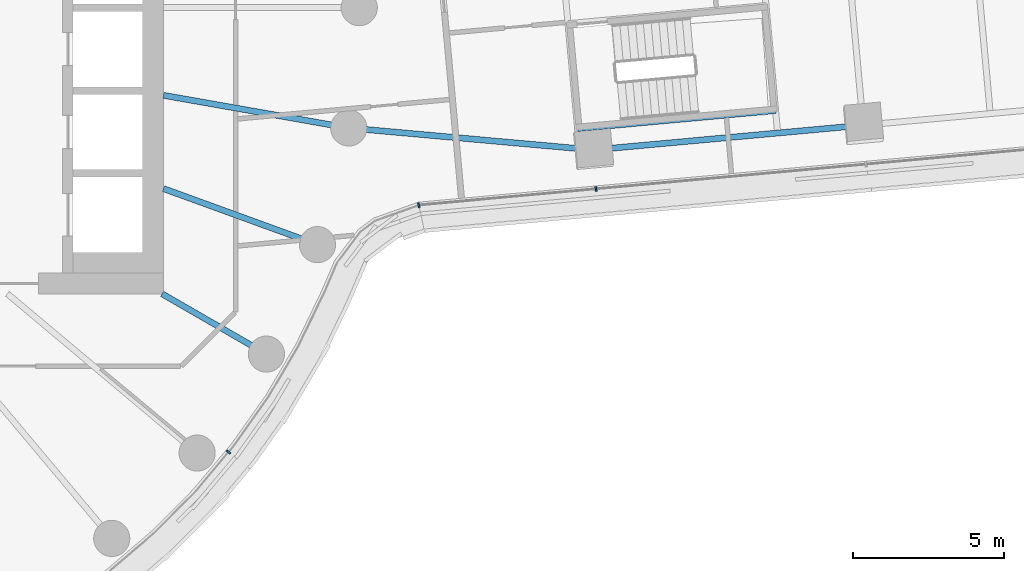
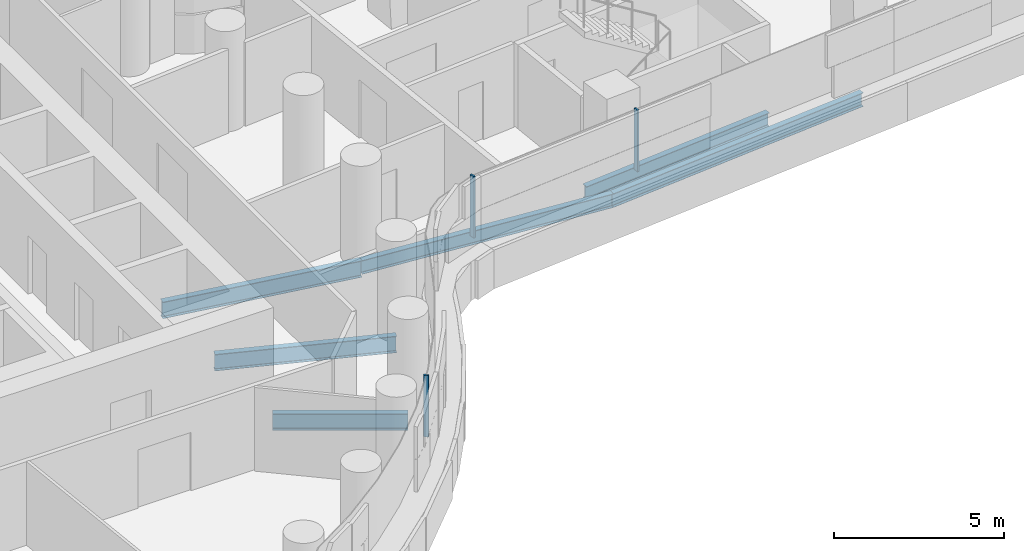
# One storey, part 9 of 31: 6 beams, 3 members, 2 elements without a shape of their own.
"""IFC4 building model written with IfcOpenShell, lengths in metres."""

from ifc_helpers import new_model, si_unit, direction, frame, origin, origin_2d, place, context, subcontext, project, spatial, rectangle, i_section, extrude, material, layer, layer_set, material_profile, profile_set, type_object, element, aggregate, save


model = new_model("IFC4")

# Units and contexts
model_context = context("Model", 3, precision=1e-05, world=origin(), true_north=direction((0.0, 1.0)))
body_context = subcontext(model_context, "Body", "Model", "MODEL_VIEW")
ifc_project = project(units=[si_unit("LENGTHUNIT", "METRE"), si_unit("AREAUNIT", "SQUARE_METRE"), si_unit("VOLUMEUNIT", "CUBIC_METRE"), si_unit("PLANEANGLEUNIT", "RADIAN"), si_unit("MASSUNIT", "GRAM", prefix="KILO")], contexts=[model_context])

# Site, building, storey
site_placement = place(None, origin())
site = spatial("IfcSite", under=ifc_project, at=site_placement, CompositionType="ELEMENT")
building_placement = place(site_placement, origin())
building = spatial("IfcBuilding", under=site, at=building_placement, Name="Tamarind Cross Interchange Tower", CompositionType="ELEMENT")
storey_placement = place(building_placement, frame((0.0, 0.0, 52.75)))
storey = spatial("IfcBuildingStorey", under=building, at=storey_placement, Name="L11", CompositionType="ELEMENT", Elevation=52.75)

# Beams
ifc_material_1 = material(Name="Steel Q355B", Category="steel")
ifc_material_profile_1 = material_profile(ifc_material_1, i_section(OverallWidth=0.198974609375, OverallDepth=0.49609375, WebThickness=0.009033203125, FlangeThickness=0.013916015625, FilletRadius=0.012939453125, at=origin_2d()), Name="HN 496x199x9x14")
ifc_profile_set_1 = profile_set([ifc_material_profile_1], Name="Steel Q355B")
beam_type_1 = type_object("IfcBeamType", Name="Composite beam HN 496x199x9x14 Q355B", PredefinedType="BEAM", material=ifc_profile_set_1)
beam_1_placement = place(storey_placement, frame((39.72900390625, -3.902099609375, -0.387939453125), z_axis=(-0.995847498535, -0.091037133423, 0.0), x_axis=(0.091037133423, -0.995847498535, 0.0)))
element("IfcBeam", 1, at=beam_1_placement, inside=storey, type_object=beam_type_1, Name="Beam E-edgeem6", PredefinedType="BEAM", context=body_context, shape_type="SweptSolid", body=[
    extrude(i_section(OverallWidth=0.198974609375, OverallDepth=0.49609375, WebThickness=0.009033203125, FlangeThickness=0.013916015625, FilletRadius=0.012939453125, at=origin_2d()), origin(), (0.0, 0.0, 1.0), 9.0),
])
beam_2_placement = place(storey_placement, frame((30.766357421875, -4.721435546875, -0.387939453125), z_axis=(-0.996005888069, 0.089287574347, 0.0), x_axis=(-0.089287574347, -0.996005888069, 0.0)))
element("IfcBeam", 2, at=beam_2_placement, inside=storey, type_object=beam_type_1, Name="Beam E-linkem", PredefinedType="BEAM", context=body_context, shape_type="SweptSolid", body=[
    extrude(i_section(OverallWidth=0.198974609375, OverallDepth=0.49609375, WebThickness=0.009033203125, FlangeThickness=0.013916015625, FilletRadius=0.012939453125, at=origin_2d()), origin(), (0.0, 0.0, 1.0), 8.148193359375),
])
beam_3_placement = place(storey_placement, frame((30.25, -4.015625, -0.387939453125), z_axis=(0.99584424524, 0.091072713933, 0.0), x_axis=(-0.091072713933, 0.99584424524, 0.0)))
element("IfcBeam", 3, at=beam_3_placement, inside=storey, type_object=beam_type_1, Name="Beam E-tr0", PredefinedType="BEAM", context=body_context, shape_type="SweptSolid", body=[
    extrude(i_section(OverallWidth=0.198974609375, OverallDepth=0.49609375, WebThickness=0.009033203125, FlangeThickness=0.013916015625, FilletRadius=0.012939453125, at=origin_2d()), origin(), (0.0, 0.0, 1.0), 6.599853515625),
])
ifc_material_profile_2 = material_profile(ifc_material_1, i_section(OverallWidth=0.198974609375, OverallDepth=0.595947265625, WebThickness=0.010009765625, FlangeThickness=0.014892578125, FilletRadius=0.012939453125, at=origin_2d()), Name="HN 596x199x10x15")
ifc_profile_set_2 = profile_set([ifc_material_profile_2], Name="Steel Q355B")
beam_type_2 = type_object("IfcBeamType", Name="Composite beam HN 596x199x10x15 Q355B", PredefinedType="BEAM", material=ifc_profile_set_2)
beam_4_placement = place(storey_placement, frame((19.918701171875, -11.5, -0.43798828125), z_axis=(-0.866026010844, 0.49999894854, 0.0), x_axis=(-0.49999894854, -0.866026010844, 0.0)))
element("IfcBeam", 4, at=beam_4_placement, inside=storey, type_object=beam_type_2, Name="Beam HH33", PredefinedType="BEAM", context=body_context, shape_type="SweptSolid", body=[
    extrude(i_section(OverallWidth=0.198974609375, OverallDepth=0.595947265625, WebThickness=0.010009765625, FlangeThickness=0.014892578125, FilletRadius=0.012939453125, at=origin_2d()), origin(), (0.0, 0.0, 1.0), 4.0),
])
beam_5_placement = place(storey_placement, frame((21.613037109375, -7.866455078125, -0.43798828125), z_axis=(-0.939701685589, 0.341995236956, 0.0), x_axis=(-0.341995236956, -0.939701685589, 0.0)))
element("IfcBeam", 5, at=beam_5_placement, inside=storey, type_object=beam_type_2, Name="Beam HH34", PredefinedType="BEAM", context=body_context, shape_type="SweptSolid", body=[
    extrude(i_section(OverallWidth=0.198974609375, OverallDepth=0.595947265625, WebThickness=0.010009765625, FlangeThickness=0.014892578125, FilletRadius=0.012939453125, at=origin_2d()), origin(), (0.0, 0.0, 1.0), 5.441162109375),
])
beam_6_placement = place(storey_placement, frame((22.650634765625, -3.993896484375, -0.43798828125), z_axis=(-0.984809127561, 0.173640382036, 0.0), x_axis=(-0.173640382036, -0.984809127561, 0.0)))
element("IfcBeam", 6, at=beam_6_placement, inside=storey, type_object=beam_type_2, Name="Beam HH35", PredefinedType="BEAM", context=body_context, shape_type="SweptSolid", body=[
    extrude(i_section(OverallWidth=0.198974609375, OverallDepth=0.595947265625, WebThickness=0.010009765625, FlangeThickness=0.014892578125, FilletRadius=0.012939453125, at=origin_2d()), origin(), (0.0, 0.0, 1.0), 6.24560546875),
])

# Curtain wall, member
ifc_material_2 = material(Name="Aluminium 6063-T6", Category="aluminium")
ifc_layer = layer(ifc_material_2, 0.159912109375)
ifc_layer_set = layer_set([ifc_layer], Name="Aluminium 6063-T6")
curtain_wall_type = type_object("IfcCurtainWallType", Name="Office curtain wall, 9.0 m bays", PredefinedType="NOTDEFINED", material=ifc_layer_set)
curtain_wall_1_placement = place(storey_placement, origin())
curtain_wall_1 = element("IfcCurtainWall", 7, at=curtain_wall_1_placement, inside=storey, type_object=curtain_wall_type, Name="CWS-L11-10", PredefinedType="NOTDEFINED")
ifc_material_profile_3 = material_profile(ifc_material_2, rectangle(XDim=0.06005859375, YDim=0.159912109375, at=origin_2d()), Name="Mullion CW1")
ifc_profile_set_3 = profile_set([ifc_material_profile_3], Name="Aluminium 6063-T6")
member_type = type_object("IfcMemberType", Name="Mullion CW1", PredefinedType="MULLION", material=ifc_profile_set_3)
member_1_placement = place(storey_placement, frame((18.66015625, -14.75, 1.39990234375), z_axis=(0.0, 0.0, 1.0), x_axis=(0.643009266048, 0.765858396687, 0.0)))
member_1 = element("IfcMember", 8, at=member_1_placement, type_object=member_type, Name="CWM-L11-10-02", PredefinedType="MULLION", context=body_context, shape_type="SweptSolid", body=[
    extrude(rectangle(XDim=0.06005859375, YDim=0.159912109375, at=origin_2d()), origin(), (0.0, 0.0, 1.0), 2.210205078125),
])
aggregate(curtain_wall_1, [member_1])

# Curtain wall, members
curtain_wall_2_placement = place(storey_placement, origin())
curtain_wall_2 = element("IfcCurtainWall", 9, at=curtain_wall_2_placement, inside=storey, type_object=curtain_wall_type, Name="CWS-L11-11", PredefinedType="NOTDEFINED")
member_2_placement = place(storey_placement, frame((24.9765625, -6.55615234375, 1.39990234375), z_axis=(0.0, 0.0, 1.0), x_axis=(0.976558841165, 0.21525062077, 0.0)))
member_2 = element("IfcMember", 10, at=member_2_placement, type_object=member_type, Name="CWM-L11-11-00", PredefinedType="MULLION", context=body_context, shape_type="SweptSolid", body=[
    extrude(rectangle(XDim=0.06005859375, YDim=0.159912109375, at=origin_2d()), origin(), (0.0, 0.0, 1.0), 2.210205078125),
])
member_3_placement = place(storey_placement, frame((30.859375, -6.018310546875, 1.39990234375), z_axis=(0.0, 0.0, 1.0), x_axis=(0.995846347162, 0.091049727316, 0.0)))
member_3 = element("IfcMember", 11, at=member_3_placement, type_object=member_type, Name="CWM-L11-11-01", PredefinedType="MULLION", context=body_context, shape_type="SweptSolid", body=[
    extrude(rectangle(XDim=0.06005859375, YDim=0.159912109375, at=origin_2d()), origin(), (0.0, 0.0, 1.0), 2.210205078125),
])
aggregate(curtain_wall_2, [member_2, member_3])

save(model, "model.ifc")
